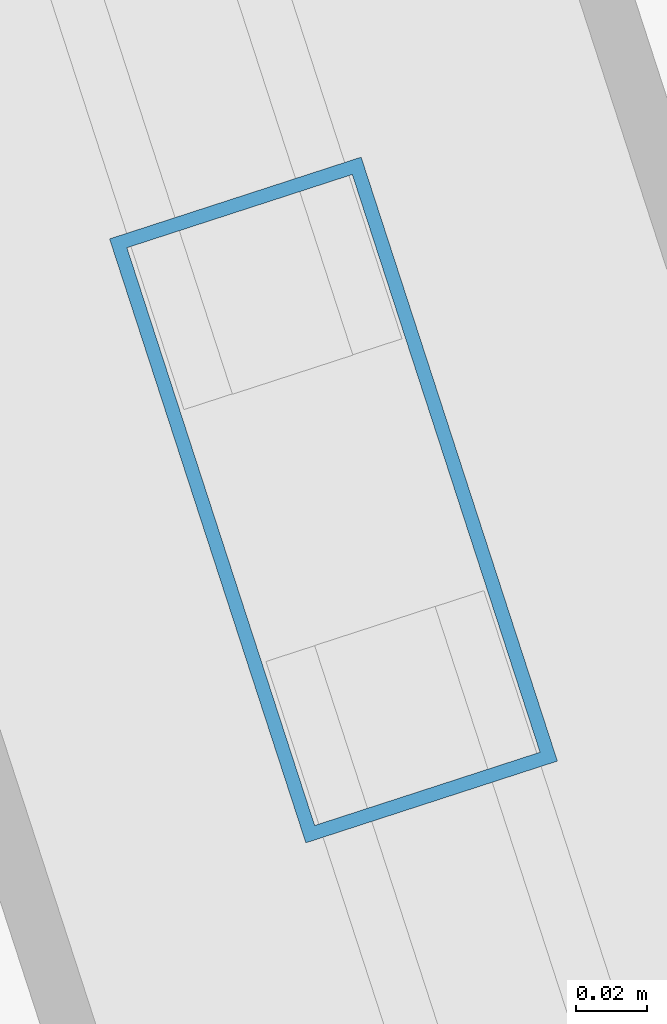
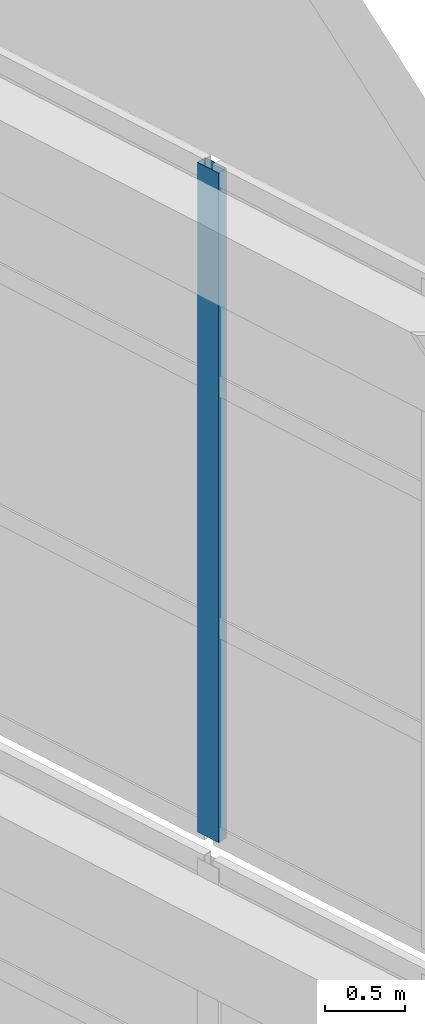
# One storey, part 29 of 56: 1 member, 1 element without a shape of its own.
"""IFC4 building model written with IfcOpenShell, lengths in metres."""

from ifc_helpers import new_model, si_unit, direction, frame, origin, origin_2d, place, context, subcontext, project, spatial, hollow_rectangle, extrude, material, layer, layer_set, material_profile, profile_set, type_object, element, aggregate, save


model = new_model("IFC4")

# Units and contexts
model_context = context("Model", 3, precision=1e-05, world=origin(), true_north=direction((0.0, 1.0)))
body_context = subcontext(model_context, "Body", "Model", "MODEL_VIEW")
ifc_project = project(units=[si_unit("LENGTHUNIT", "METRE"), si_unit("AREAUNIT", "SQUARE_METRE"), si_unit("VOLUMEUNIT", "CUBIC_METRE"), si_unit("PLANEANGLEUNIT", "RADIAN"), si_unit("MASSUNIT", "GRAM", prefix="KILO")], contexts=[model_context])

# Site, building, storey
site_placement = place(None, origin())
site = spatial("IfcSite", under=ifc_project, at=site_placement, CompositionType="ELEMENT")
building_placement = place(site_placement, origin())
building = spatial("IfcBuilding", under=site, at=building_placement, Name="Qiaolan Cultural Towers", CompositionType="ELEMENT")
storey_placement = place(building_placement, frame((0.0, 0.0, 250.39990234375)))
storey = spatial("IfcBuildingStorey", under=building, at=storey_placement, Name="L68", CompositionType="ELEMENT", Elevation=250.39990234375)

# Curtain wall, member
ifc_material_1 = material(Name="Unitized Anodized Aluminium Curtain Wall System", Category="aluminium")
ifc_layer = layer(ifc_material_1, 0.199951171875)
ifc_layer_set = layer_set([ifc_layer], Name="Unitized Anodized Aluminium Curtain Wall System")
curtain_wall_type = type_object("IfcCurtainWallType", Name="CWS-06", PredefinedType="NOTDEFINED", material=ifc_layer_set)
curtain_wall_placement = place(storey_placement, origin())
curtain_wall = element("IfcCurtainWall", 1, at=curtain_wall_placement, inside=storey, type_object=curtain_wall_type, Name="T2 Crown Tier 5 Fritted Screen Curtain Wall 3", PredefinedType="NOTDEFINED")
ifc_material_2 = material(Name="Extruded Aluminium 6063-T6", Category="aluminium")
ifc_material_profile = material_profile(ifc_material_2, hollow_rectangle(XDim=0.074951171875, YDim=0.179931640625, WallThickness=0.00390625, at=origin_2d()), Name="CWM-180x75x4")
ifc_profile_set = profile_set([ifc_material_profile], Name="Extruded Aluminium 6063-T6")
member_type = type_object("IfcMemberType", Name="CWS-06-MUL", PredefinedType="MULLION", material=ifc_profile_set)
member_placement = place(storey_placement, frame((104.358642578125, 34.6279296875, 21.300048828125), z_axis=(0.0, 0.0, 1.0), x_axis=(-0.951056535512, -0.309016935232, 0.0)))
member = element("IfcMember", 2, at=member_placement, type_object=member_type, Name="CW-6 mullion 2", PredefinedType="MULLION", context=body_context, shape_type="SweptSolid", body=[
    extrude(hollow_rectangle(XDim=0.074951171875, YDim=0.179931640625, WallThickness=0.00390625, at=origin_2d()), origin(), (0.0, 0.0, 1.0), 5.10009765625),
])
aggregate(curtain_wall, [member])

save(model, "model.ifc")
